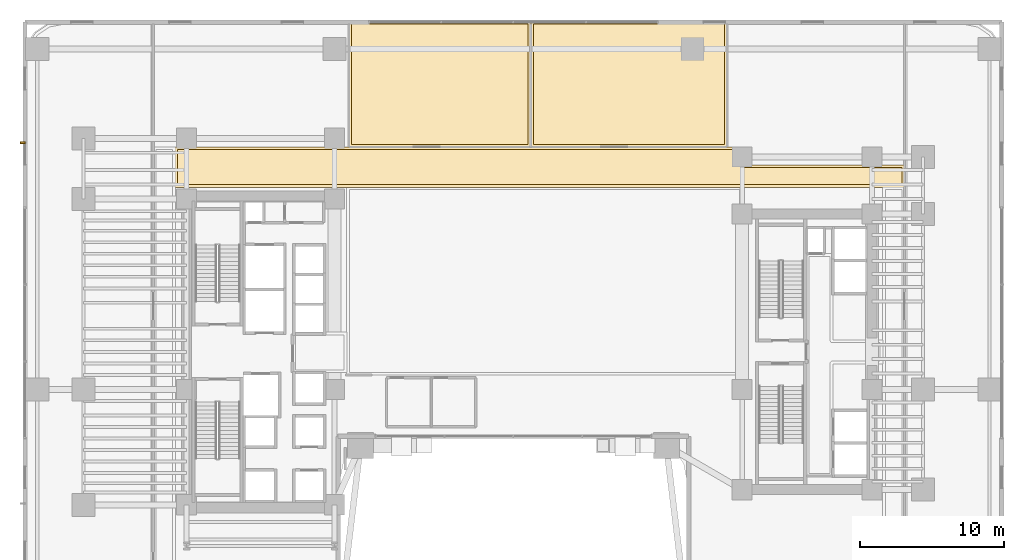
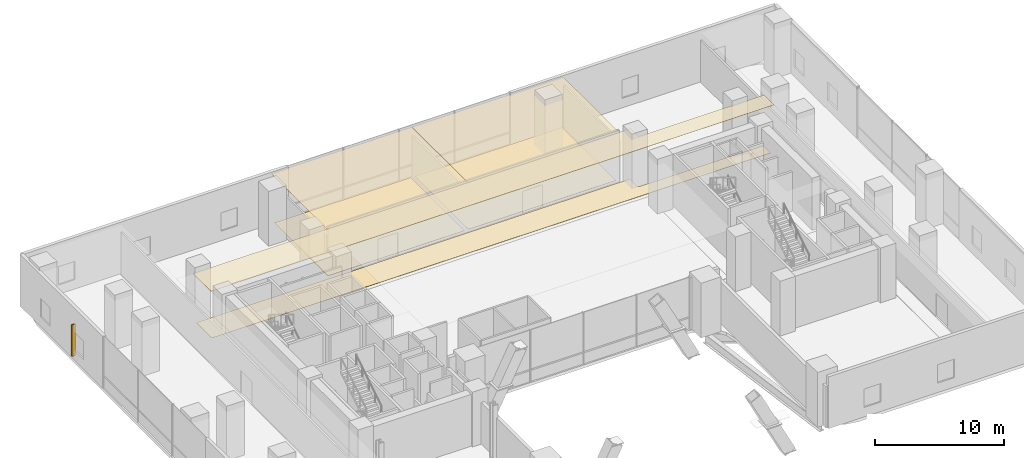
# One storey, part 38 of 39: 6 coverings, 1 shading device.
"""IFC4 building model written with IfcOpenShell, lengths in metres."""

from ifc_helpers import new_model, si_unit, direction, frame, origin, origin_2d, place, context, subcontext, project, spatial, polyline, rectangle, outline, extrude, source, transform, mapped, material, layer, layer_set, type_object, element, save


model = new_model("IFC4")

# Units and contexts
model_context = context("Model", 3, precision=1e-05, world=origin(), true_north=direction((0.0, 1.0)))
body_context = subcontext(model_context, "Body", "Model", "MODEL_VIEW")
ifc_project = project(units=[si_unit("LENGTHUNIT", "METRE"), si_unit("AREAUNIT", "SQUARE_METRE"), si_unit("VOLUMEUNIT", "CUBIC_METRE"), si_unit("PLANEANGLEUNIT", "RADIAN"), si_unit("MASSUNIT", "GRAM", prefix="KILO")], contexts=[model_context])

# Site, building, storey
site_placement = place(None, origin())
site = spatial("IfcSite", under=ifc_project, at=site_placement, CompositionType="ELEMENT")
building_placement = place(site_placement, origin())
building = spatial("IfcBuilding", under=site, at=building_placement, Name="Valdorenza Pilgrim Sanctuary Tower", CompositionType="ELEMENT")
storey_placement = place(building_placement, frame((0.0, 0.0, 10.39990234375)))
storey = spatial("IfcBuildingStorey", under=building, at=storey_placement, Name="L02", CompositionType="ELEMENT", Elevation=10.39990234375)

# Coverings
ifc_material_1 = material(Name="Micro-perforated acoustic mineral ceiling tile", Category="gypsum")
ifc_layer_1 = layer(ifc_material_1, 0.02490234375, Name="Micro-perforated acoustic mineral ceiling tile")
ifc_layer_set_1 = layer_set([ifc_layer_1], Name="Micro-perforated acoustic mineral ceiling tile")
covering_type_1 = type_object("IfcCoveringType", Name="COV-CLG-ACU", PredefinedType="CEILING", material=ifc_layer_set_1)
covering_1_placement = place(storey_placement, frame((0.0, 0.0, 4.6201171875)))
element("IfcCovering", 1, at=covering_1_placement, inside=storey, type_object=covering_type_1, Name="L02 Commercial Refectory Kitchen Acoustic Ceiling", PredefinedType="CEILING", context=body_context, shape_type="SweptSolid", body=[
    extrude(outline(polyline([(-11.39990234375, 14.18505859375), (-11.401611328125, 14.18505859375), (-11.40283203125, 14.185302734375), (-11.404296875, 14.185546875), (-11.40576171875, 14.18603515625), (-11.406982421875, 14.186767578125), (-11.408203125, 14.1875), (-11.409423828125, 14.1884765625), (-11.41064453125, 14.189453125), (-11.41162109375, 14.1904296875), (-11.41259765625, 14.191650390625), (-11.4130859375, 14.19287109375), (-11.413818359375, 14.1943359375), (-11.414306640625, 14.195556640625), (-11.414794921875, 14.197021484375), (-11.414794921875, 14.198486328125), (-11.4150390625, 14.199951171875), (-11.4150390625, 22.889892578125), (-11.414794921875, 22.8916015625), (-11.414794921875, 22.892822265625), (-11.414306640625, 22.894287109375), (-11.413818359375, 22.895751953125), (-11.4130859375, 22.897216796875), (-11.41259765625, 22.898193359375), (-11.41162109375, 22.8994140625), (-11.41064453125, 22.900634765625), (-11.409423828125, 22.901611328125), (-11.408203125, 22.902587890625), (-11.406982421875, 22.9033203125), (-11.40576171875, 22.90380859375), (-11.404296875, 22.904296875), (-11.40283203125, 22.90478515625), (-11.401611328125, 22.90478515625), (-11.39990234375, 22.905029296875), (1.199951171875, 22.905029296875), (1.201416015625, 22.90478515625), (1.202880859375, 22.90478515625), (1.204345703125, 22.904296875), (1.205810546875, 22.90380859375), (1.20703125, 22.9033203125), (1.208251953125, 22.902587890625), (1.20947265625, 22.901611328125), (1.210693359375, 22.900634765625), (1.211669921875, 22.8994140625), (1.21240234375, 22.898193359375), (1.213134765625, 22.897216796875), (1.2138671875, 22.895751953125), (1.21435546875, 22.894287109375), (1.214599609375, 22.892822265625), (1.21484375, 22.8916015625), (1.215087890625, 22.889892578125), (1.215087890625, 14.199951171875), (1.21484375, 14.198486328125), (1.214599609375, 14.197021484375), (1.21435546875, 14.195556640625), (1.2138671875, 14.1943359375), (1.213134765625, 14.19287109375), (1.21240234375, 14.191650390625), (1.211669921875, 14.1904296875), (1.210693359375, 14.189453125), (1.20947265625, 14.1884765625), (1.208251953125, 14.1875), (1.20703125, 14.186767578125), (1.205810546875, 14.18603515625), (1.204345703125, 14.185546875), (1.202880859375, 14.185302734375), (1.201416015625, 14.18505859375), (1.199951171875, 14.18505859375), (-11.39990234375, 14.18505859375)])), origin(), (0.0, 0.0, 1.0), 0.02490234375),
])
covering_2_placement = place(storey_placement, frame((0.0, 0.0, 4.6201171875)))
element("IfcCovering", 2, at=covering_2_placement, inside=storey, type_object=covering_type_1, Name="L02 Sanctuary Tea Lounge Acoustic Ceiling", PredefinedType="CEILING", context=body_context, shape_type="SweptSolid", body=[
    extrude(outline(polyline([(1.201904296875, 14.18505859375), (1.200439453125, 14.18505859375), (1.19921875, 14.185302734375), (1.197509765625, 14.185546875), (1.1962890625, 14.18603515625), (1.19482421875, 14.186767578125), (1.193603515625, 14.1875), (1.1923828125, 14.1884765625), (1.19140625, 14.189453125), (1.1904296875, 14.1904296875), (1.189453125, 14.191650390625), (1.188720703125, 14.19287109375), (1.18798828125, 14.1943359375), (1.1875, 14.195556640625), (1.187255859375, 14.197021484375), (1.18701171875, 14.198486328125), (1.18701171875, 14.199951171875), (1.18701171875, 22.889892578125), (1.18701171875, 22.8916015625), (1.187255859375, 22.892822265625), (1.1875, 22.894287109375), (1.18798828125, 22.895751953125), (1.188720703125, 22.897216796875), (1.189453125, 22.898193359375), (1.1904296875, 22.8994140625), (1.19140625, 22.900634765625), (1.1923828125, 22.901611328125), (1.193603515625, 22.902587890625), (1.19482421875, 22.9033203125), (1.1962890625, 22.90380859375), (1.197509765625, 22.904296875), (1.19921875, 22.90478515625), (1.200439453125, 22.90478515625), (1.201904296875, 22.905029296875), (14.800048828125, 22.905029296875), (14.801513671875, 22.90478515625), (14.802978515625, 22.90478515625), (14.804443359375, 22.904296875), (14.8056640625, 22.90380859375), (14.80712890625, 22.9033203125), (14.808349609375, 22.902587890625), (14.8095703125, 22.901611328125), (14.810546875, 22.900634765625), (14.8115234375, 22.8994140625), (14.8125, 22.898193359375), (14.813232421875, 22.897216796875), (14.81396484375, 22.895751953125), (14.814453125, 22.894287109375), (14.814697265625, 22.892822265625), (14.81494140625, 22.8916015625), (14.81494140625, 22.889892578125), (14.81494140625, 14.199951171875), (14.81494140625, 14.198486328125), (14.814697265625, 14.197021484375), (14.814453125, 14.195556640625), (14.81396484375, 14.1943359375), (14.813232421875, 14.19287109375), (14.8125, 14.191650390625), (14.8115234375, 14.1904296875), (14.810546875, 14.189453125), (14.8095703125, 14.1884765625), (14.808349609375, 14.1875), (14.80712890625, 14.186767578125), (14.8056640625, 14.18603515625), (14.804443359375, 14.185546875), (14.802978515625, 14.185302734375), (14.801513671875, 14.18505859375), (14.800048828125, 14.18505859375), (1.201904296875, 14.18505859375)])), origin(), (0.0, 0.0, 1.0), 0.02490234375),
])
covering_3_placement = place(storey_placement, frame((0.0, 0.0, 4.6201171875)))
element("IfcCovering", 3, at=covering_3_placement, inside=storey, type_object=covering_type_1, Name="L02 L02 Podium North Concourse Acoustic Ceiling", PredefinedType="CEILING", context=body_context, shape_type="SweptSolid", body=[
    extrude(outline(polyline([(-23.447998046875, 11.405029296875), (-23.449462890625, 11.405029296875), (-23.450927734375, 11.4052734375), (-23.452392578125, 11.405517578125), (-23.45361328125, 11.406005859375), (-23.455078125, 11.40673828125), (-23.456298828125, 11.407470703125), (-23.45751953125, 11.408447265625), (-23.45849609375, 11.409423828125), (-23.459716796875, 11.410400390625), (-23.46044921875, 11.41162109375), (-23.461181640625, 11.412841796875), (-23.4619140625, 11.414306640625), (-23.46240234375, 11.41552734375), (-23.462646484375, 11.4169921875), (-23.462890625, 11.41845703125), (-23.462890625, 11.419921875), (-23.462890625, 14.199951171875), (-23.462890625, 14.201416015625), (-23.462646484375, 14.202880859375), (-23.46240234375, 14.204345703125), (-23.4619140625, 14.205810546875), (-23.461181640625, 14.20703125), (-23.46044921875, 14.208251953125), (-23.459716796875, 14.20947265625), (-23.45849609375, 14.210693359375), (-23.45751953125, 14.211669921875), (-23.456298828125, 14.21240234375), (-23.455078125, 14.213134765625), (-23.45361328125, 14.2138671875), (-23.452392578125, 14.21435546875), (-23.450927734375, 14.214599609375), (-23.449462890625, 14.21484375), (-23.447998046875, 14.215087890625), (-11.402099609375, 14.215087890625), (-11.400390625, 14.21484375), (-11.39892578125, 14.214599609375), (-11.3974609375, 14.21435546875), (-11.39599609375, 14.2138671875), (-11.394775390625, 14.213134765625), (-11.39453125, 14.212890625), (1.1982421875, 14.212890625), (1.198974609375, 14.213134765625), (1.200439453125, 14.21337890625), (1.201904296875, 14.213134765625), (1.20361328125, 14.213134765625), (1.203857421875, 14.212890625), (14.79443359375, 14.212890625), (14.794677734375, 14.213134765625), (14.796142578125, 14.2138671875), (14.797607421875, 14.21435546875), (14.799072265625, 14.214599609375), (14.800537109375, 14.21484375), (14.802001953125, 14.215087890625), (15.85009765625, 14.215087890625), (15.8515625, 14.21484375), (15.852783203125, 14.214599609375), (15.8544921875, 14.21435546875), (15.855712890625, 14.2138671875), (15.857177734375, 14.213134765625), (15.8583984375, 14.21240234375), (15.859619140625, 14.211669921875), (15.860595703125, 14.210693359375), (15.861572265625, 14.20947265625), (15.862548828125, 14.208251953125), (15.86328125, 14.20703125), (15.864013671875, 14.205810546875), (15.864501953125, 14.204345703125), (15.86474609375, 14.202880859375), (15.864990234375, 14.201416015625), (15.864990234375, 14.199951171875), (15.864990234375, 12.965087890625), (27.097900390625, 12.965087890625), (27.099609375, 12.96484375), (27.100830078125, 12.964599609375), (27.102294921875, 12.96435546875), (27.103759765625, 12.9638671875), (27.10498046875, 12.963134765625), (27.106201171875, 12.96240234375), (27.107421875, 12.961669921875), (27.108642578125, 12.960693359375), (27.109619140625, 12.95947265625), (27.110595703125, 12.958251953125), (27.111083984375, 12.95703125), (27.11181640625, 12.955810546875), (27.1123046875, 12.954345703125), (27.11279296875, 12.952880859375), (27.11279296875, 12.951416015625), (27.113037109375, 12.949951171875), (27.113037109375, 11.419921875), (27.11279296875, 11.41845703125), (27.11279296875, 11.4169921875), (27.1123046875, 11.41552734375), (27.11181640625, 11.414306640625), (27.111083984375, 11.412841796875), (27.110595703125, 11.41162109375), (27.109619140625, 11.410400390625), (27.108642578125, 11.409423828125), (27.107421875, 11.408447265625), (27.106201171875, 11.407470703125), (27.10498046875, 11.40673828125), (27.103759765625, 11.406005859375), (27.102294921875, 11.405517578125), (27.100830078125, 11.4052734375), (27.099609375, 11.405029296875), (27.097900390625, 11.405029296875), (-23.447998046875, 11.405029296875)])), origin(), (0.0, 0.0, 1.0), 0.02490234375),
])
ifc_material_2 = material(Name="Honed travertine stone flooring", Category="masonry")
ifc_layer_2 = layer(ifc_material_2, 0.030029296875, Name="Honed travertine stone flooring")
ifc_layer_set_2 = layer_set([ifc_layer_2], Name="Honed travertine stone flooring")
covering_type_2 = type_object("IfcCoveringType", Name="COV-FLR-TRV", PredefinedType="FLOORING", material=ifc_layer_set_2)
covering_4_placement = place(storey_placement, origin())
element("IfcCovering", 4, at=covering_4_placement, inside=storey, type_object=covering_type_2, Name="L02 Commercial Refectory Kitchen Flooring", PredefinedType="FLOORING", context=body_context, shape_type="SweptSolid", body=[
    extrude(outline(polyline([(-11.219970703125, 14.3798828125), (-11.219970703125, 22.7099609375), (1.02001953125, 22.7099609375), (1.02001953125, 14.3798828125), (-11.219970703125, 14.3798828125)])), origin(), (0.0, 0.0, 1.0), 0.025146484375),
])
covering_5_placement = place(storey_placement, origin())
element("IfcCovering", 5, at=covering_5_placement, inside=storey, type_object=covering_type_2, Name="L02 Sanctuary Tea Lounge Flooring", PredefinedType="FLOORING", context=body_context, shape_type="SweptSolid", body=[
    extrude(outline(polyline([(1.382080078125, 14.3798828125), (1.382080078125, 22.7099609375), (14.6201171875, 22.7099609375), (14.6201171875, 14.3798828125), (1.382080078125, 14.3798828125)])), origin(), (0.0, 0.0, 1.0), 0.025146484375),
])
covering_6_placement = place(storey_placement, origin())
element("IfcCovering", 6, at=covering_6_placement, inside=storey, type_object=covering_type_2, Name="L02 L02 Podium North Concourse Flooring", PredefinedType="FLOORING", context=body_context, shape_type="SweptSolid", body=[
    extrude(outline(polyline([(-23.26806640625, 11.60009765625), (-23.26806640625, 14.02001953125), (-11.427001953125, 14.02001953125), (-11.4267578125, 14.02001953125), (-11.426513671875, 14.02001953125), (-11.408935546875, 14.018310546875), (-11.40869140625, 14.018310546875), (-11.39990234375, 14.01806640625), (1.199951171875, 14.01806640625), (1.200927734375, 14.01806640625), (1.20166015625, 14.01806640625), (1.201904296875, 14.01806640625), (14.800048828125, 14.01806640625), (14.80029296875, 14.01806640625), (15.669921875, 14.019775390625), (15.669921875, 12.949951171875), (15.6708984375, 12.932373046875), (15.673583984375, 12.914794921875), (15.677734375, 12.897705078125), (15.68359375, 12.881103515625), (15.69140625, 12.864990234375), (15.7001953125, 12.85009765625), (15.7109375, 12.835693359375), (15.72265625, 12.82275390625), (15.73583984375, 12.810791015625), (15.75, 12.80029296875), (15.76513671875, 12.791259765625), (15.781005859375, 12.78369140625), (15.797607421875, 12.77783203125), (15.81494140625, 12.7734375), (15.83251953125, 12.77099609375), (15.85009765625, 12.77001953125), (26.91796875, 12.77001953125), (26.91796875, 11.60009765625), (-23.26806640625, 11.60009765625)])), origin(), (0.0, 0.0, 1.0), 0.025146484375),
])

# Shading device
ifc_material_3 = material(Name="Champagne anodised aluminium", Category="aluminium")
shading_device_type = type_object("IfcShadingDeviceType", Name="SHD-FIN-TRV", PredefinedType="SHUTTER", material=ifc_material_3)
shared_shape = source(origin(), body_context, "Body", "SweptSolid", [
    extrude(rectangle(XDim=0.35009765625, YDim=0.1201171875, at=origin_2d()), origin(), (0.0, 0.0, 1.0), 3.0),
])
shading_device_placement = place(storey_placement, frame((-34.02001953125, 14.5, 0.35009765625), z_axis=(0.0, 0.0, 1.0), x_axis=(1.0, 0.0, 0.0)))
element("IfcShadingDevice", 7, at=shading_device_placement, inside=storey, type_object=shading_device_type, Name="L02 West Solar Shading Fin 2", PredefinedType="SHUTTER", context=body_context, shape_type="MappedRepresentation", body=[
    mapped(shared_shape, transform((0.0, 0.0, 0.0), x_axis=(1.0, 0.0, 0.0), y_axis=(0.0, 1.0, 0.0), z_axis=(0.0, 0.0, 1.0), scale=1.0)),
])

save(model, "model.ifc")
